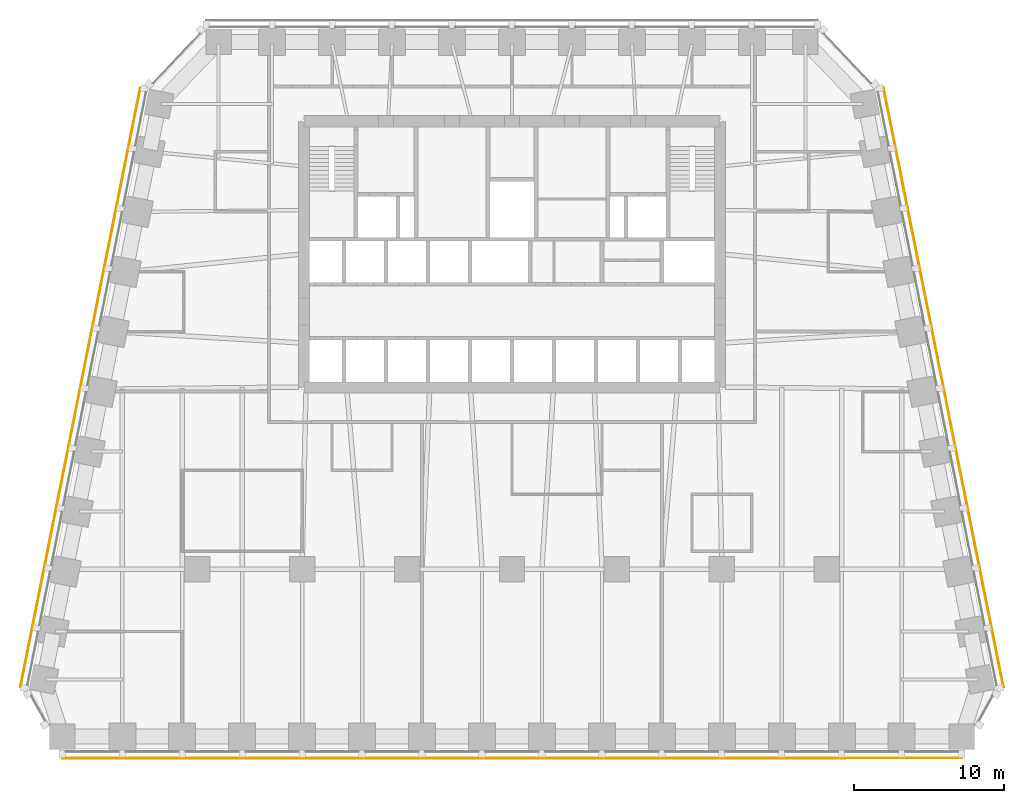
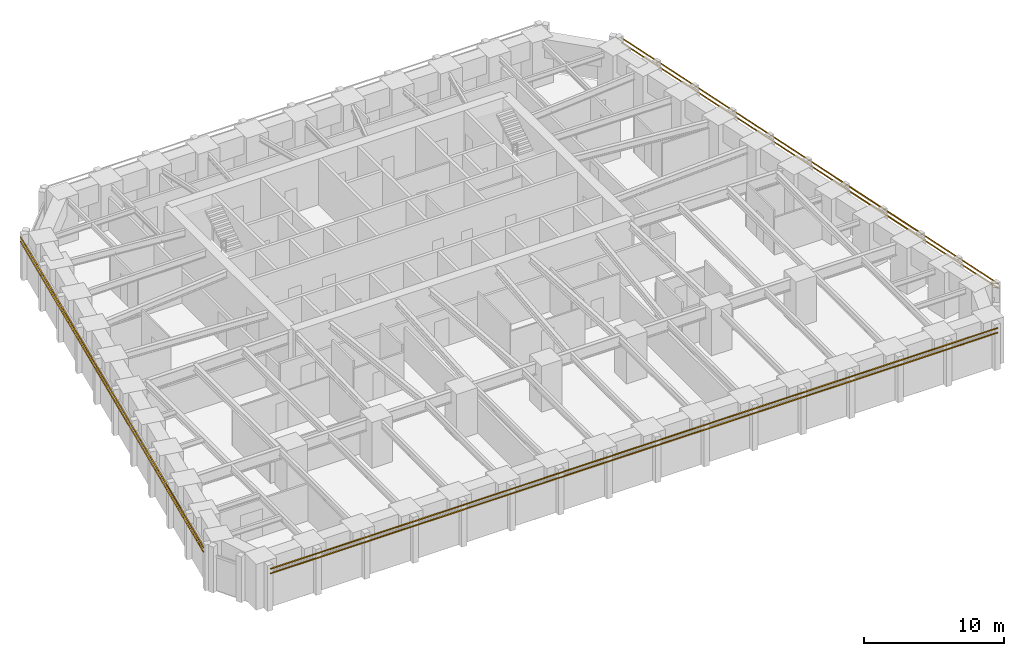
# One storey, part 9 of 10: 6 shading devices.
"""IFC4 building model written with IfcOpenShell, lengths in metres."""

from ifc_helpers import new_model, si_unit, direction, frame, origin, origin_2d, place, context, subcontext, project, spatial, rectangle, extrude, material, material_profile, profile_set, type_object, element, save


model = new_model("IFC4")

# Units and contexts
model_context = context("Model", 3, precision=1e-05, world=origin(), true_north=direction((0.0, 1.0)))
body_context = subcontext(model_context, "Body", "Model", "MODEL_VIEW")
ifc_project = project(units=[si_unit("LENGTHUNIT", "METRE"), si_unit("AREAUNIT", "SQUARE_METRE"), si_unit("VOLUMEUNIT", "CUBIC_METRE"), si_unit("PLANEANGLEUNIT", "RADIAN"), si_unit("MASSUNIT", "GRAM", prefix="KILO")], contexts=[model_context])

# Site, building, storey
site_placement = place(None, origin())
site = spatial("IfcSite", under=ifc_project, at=site_placement, CompositionType="ELEMENT")
building_placement = place(site_placement, origin())
building = spatial("IfcBuilding", under=site, at=building_placement, Name="Isbrekke Arena Tower", CompositionType="ELEMENT")
storey_placement = place(building_placement, frame((0.0, 0.0, 155.0)))
storey = spatial("IfcBuildingStorey", under=building, at=storey_placement, Name="L35", CompositionType="ELEMENT", Elevation=155.0)

# Shading devices
ifc_material = material(Name="Terracotta", Category="masonry")
ifc_material_profile = material_profile(ifc_material, rectangle(XDim=0.06005859375, YDim=0.06005859375, at=origin_2d()), Name="BAGUETTE 60X60")
ifc_profile_set = profile_set([ifc_material_profile], Name="Terracotta")
shading_device_type = type_object("IfcShadingDeviceType", Name="BG1 TERRACOTTA BAGUETTE 60 x 60", PredefinedType="USERDEFINED", material=ifc_profile_set)
for number, where, z_axis, x_axis, name in (
    (1, (-30.0, -18.60498046875, 3.280029296875), (1.0, 0.0, 0.0), (0.0, 1.0, 0.0), "BG1 terracotta baguette S1 L35"),
    (2, (-30.0, -18.60498046875, 3.679931640625), (1.0, 0.0, 0.0), (0.0, 1.0, 0.0), "BG1 terracotta baguette S2 L35"),
):
    element("IfcShadingDevice", number, at=place(storey_placement, frame(where, z_axis=z_axis, x_axis=x_axis)), inside=storey, type_object=shading_device_type, Name=name, ObjectType="TERRACOTTA BAGUETTE", PredefinedType="USERDEFINED", context=body_context, shape_type="SweptSolid", body=[
        extrude(rectangle(XDim=0.06005859375, YDim=0.06005859375, at=origin_2d()), origin(), (0.0, 0.0, 1.0), 60.0),
    ])
for number, where, z_axis, x_axis, name in (
    (3, (32.793212890625, -13.88134765625, 3.280029296875), (-0.196116135138, 0.980580675691, 0.0), (-0.980580675691, -0.196116135138, 0.0), "BG1 terracotta baguette E1 L35"),
    (4, (32.793212890625, -13.88134765625, 3.679931640625), (-0.196116135138, 0.980580675691, 0.0), (-0.980580675691, -0.196116135138, 0.0), "BG1 terracotta baguette E2 L35"),
    (5, (-24.793212890625, 26.11865234375, 3.280029296875), (-0.196116135138, -0.980580675691, 0.0), (0.980580675691, -0.196116135138, 0.0), "BG1 terracotta baguette W1 L35"),
    (6, (-24.793212890625, 26.11865234375, 3.679931640625), (-0.196116135138, -0.980580675691, 0.0), (0.980580675691, -0.196116135138, 0.0), "BG1 terracotta baguette W2 L35"),
):
    element("IfcShadingDevice", number, at=place(storey_placement, frame(where, z_axis=z_axis, x_axis=x_axis)), inside=storey, type_object=shading_device_type, Name=name, ObjectType="TERRACOTTA BAGUETTE", PredefinedType="USERDEFINED", context=body_context, shape_type="SweptSolid", body=[
        extrude(rectangle(XDim=0.06005859375, YDim=0.06005859375, at=origin_2d()), origin(), (0.0, 0.0, 1.0), 40.792236328125),
    ])

save(model, "model.ifc")
